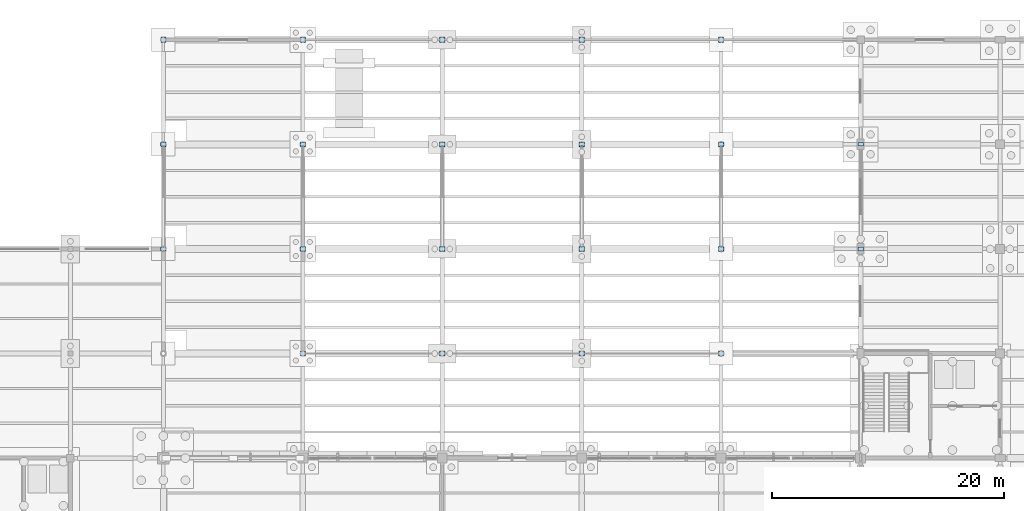
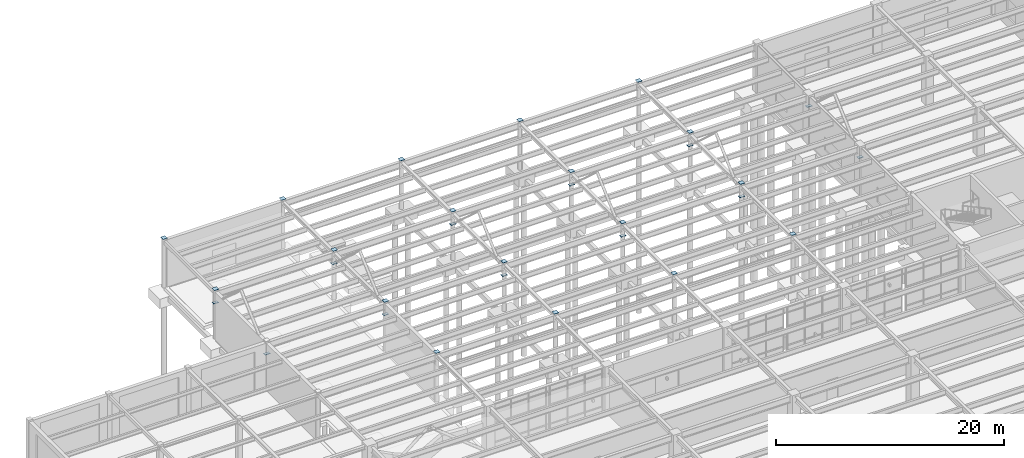
# One storey, part 60 of 85: 30 plates.
"""IFC4 building model written with IfcOpenShell, lengths in metres."""

import ifcopenshell
import ifcopenshell.guid

model = None  # the IFC model being written
_history = None  # IfcOwnerHistory: only IFC2X3 demands one
_inside = {}  # id of a spatial element -> (the spatial element, [elements in it])
_under = {}  # id of a project, library or spatial element -> (it, [spatial elements below it])
_declared = {}  # id of a project -> (the project, [libraries it declares])
_typed = {}  # id of a type object -> (the type object, [elements of that type])
_made_of = {}  # id of a material, layer set ... -> (it, [elements and type objects made of it])


def new_model(schema):
    """Start an empty IFC model of exactly this schema.

    Asked for "IFC4X3", IfcOpenShell would pick the latest addendum, in which some entities
    have other attributes; the version numbers below select the first issue.
    IFC2X3 requires an IfcOwnerHistory on every rooted entity: one is made here for all.
    """
    global model, _history
    if schema == "IFC4X3":
        model = ifcopenshell.file(schema_version=(4, 3, 0, 0))
    else:
        model = ifcopenshell.file(schema=schema)
    _inside.clear()
    _under.clear()
    _declared.clear()
    _typed.clear()
    _made_of.clear()
    _history = None
    if model.schema == "IFC2X3":
        org = make("IfcOrganization", Name="unknown")
        user = make(
            "IfcPersonAndOrganization",
            ThePerson=make("IfcPerson", FamilyName="unknown"),
            TheOrganization=org,
        )
        app = make(
            "IfcApplication",
            ApplicationDeveloper=org,
            Version="unknown",
            ApplicationFullName="unknown",
            ApplicationIdentifier="unknown",
        )
        _history = make(
            "IfcOwnerHistory",
            OwningUser=user,
            OwningApplication=app,
            ChangeAction="ADDED",
            CreationDate=0,
        )
    return model


def make(cls, **values):
    """One entity of the class cls with the attributes given. An attribute that is None is left unset."""
    return model.create_entity(
        cls, **{name: value for name, value in values.items() if value is not None}
    )


def rooted(cls, **values):
    """An entity with a GlobalId (a new one), such as an element, a storey or a relation."""
    return make(cls, GlobalId=ifcopenshell.guid.new(), OwnerHistory=_history, **values)


def si_unit(unit_type, name, prefix=None):
    """IfcSIUnit, for example si_unit("LENGTHUNIT", "METRE", prefix="MILLI")."""
    return make("IfcSIUnit", UnitType=unit_type, Prefix=prefix, Name=name)


def assignment(units):
    """IfcUnitAssignment: the units of a project."""
    return None if units is None else make("IfcUnitAssignment", Units=units)


def point(xyz):
    """IfcCartesianPoint."""
    return None if xyz is None else make("IfcCartesianPoint", Coordinates=xyz)


def direction(xyz):
    """IfcDirection."""
    return None if xyz is None else make("IfcDirection", DirectionRatios=xyz)


def frame(location, z_axis=None, x_axis=None):
    """IfcAxis2Placement3D, a coordinate frame: its origin and axes. An axis left out is left unset."""
    return make(
        "IfcAxis2Placement3D",
        Location=point(location),
        Axis=direction(z_axis),
        RefDirection=direction(x_axis),
    )


def frame_2d(location, x_axis=None):
    """IfcAxis2Placement2D, a coordinate frame in the plane: its origin and x axis."""
    return make(
        "IfcAxis2Placement2D", Location=point(location), RefDirection=direction(x_axis)
    )


def origin():
    """The frame at (0, 0, 0) with its axes left unset."""
    return frame((0.0, 0.0, 0.0))


def origin_2d():
    """The frame at (0, 0) in the plane with its x axis left unset."""
    return frame_2d((0.0, 0.0))


def place(relative_to, where):
    """IfcLocalPlacement: puts the frame where relative to a parent placement (None: the world)."""
    return make(
        "IfcLocalPlacement", PlacementRelTo=relative_to, RelativePlacement=where
    )


def context(
    kind, dimensions, precision=None, world=None, true_north=None, identifier=None
):
    """IfcGeometricRepresentationContext, for example the 3D "Model" context."""
    return make(
        "IfcGeometricRepresentationContext",
        ContextIdentifier=identifier,
        ContextType=kind,
        CoordinateSpaceDimension=dimensions,
        Precision=precision,
        WorldCoordinateSystem=world,
        TrueNorth=true_north,
    )


def subcontext(parent, identifier, kind, view, scale=None):
    """IfcGeometricRepresentationSubContext, for example "Body" below "Model"."""
    return make(
        "IfcGeometricRepresentationSubContext",
        ContextIdentifier=identifier,
        ContextType=kind,
        ParentContext=parent,
        TargetScale=scale,
        TargetView=view,
    )


def project(units=None, contexts=None):
    """IfcProject with its units and contexts."""
    return rooted(
        "IfcProject",
        Name="project",
        RepresentationContexts=contexts,
        UnitsInContext=assignment(units),
    )


def spatial(cls, under=None, at=None, **own):
    """A site, building, storey or space (cls), placed at a placement, below another one or the project."""
    s = rooted(cls, ObjectPlacement=at, **own)
    if under is not None:
        _under.setdefault(under.id(), (under, []))[1].append(s)
    return s


def profile(cls, at=None, kind="AREA", **sizes):
    """A parametric profile (cls). Its sizes go by their IFC names, for example OverallWidth=200.0."""
    return make(cls, ProfileType=kind, Position=at, **sizes)


def rectangle(**sizes):
    """IfcRectangleProfileDef."""
    return profile("IfcRectangleProfileDef", **sizes)


def extrude(swept, where, along, depth):
    """IfcExtrudedAreaSolid: the profile swept, set in the frame where, extruded along a direction by depth."""
    return make(
        "IfcExtrudedAreaSolid",
        SweptArea=swept,
        Position=where,
        ExtrudedDirection=direction(along),
        Depth=depth,
    )


def shape(context_of_items, identifier, shape_type, items):
    """IfcShapeRepresentation: the items that make up one representation, for example the "Body"."""
    return make(
        "IfcShapeRepresentation",
        ContextOfItems=context_of_items,
        RepresentationIdentifier=identifier,
        RepresentationType=shape_type,
        Items=items,
    )


def material(Name=None, Category=None):
    """IfcMaterial."""
    return make("IfcMaterial", Name=Name, Category=Category)


def layer(
    of_material, thickness, ventilated=None, Name=None, Category=None, Priority=None
):
    """IfcMaterialLayer: one layer of a wall or slab, of a material (None: an air gap)."""
    return make(
        "IfcMaterialLayer",
        Material=of_material,
        LayerThickness=thickness,
        IsVentilated=ventilated,
        Name=Name,
        Category=Category,
        Priority=Priority,
    )


def layer_set(layers, Name=None):
    """IfcMaterialLayerSet."""
    return make("IfcMaterialLayerSet", MaterialLayers=layers, LayerSetName=Name)


def made_of(thing, what):
    """Note that an element or type object is made of a material, layer set ...; save() writes the relation."""
    if what is not None:
        _made_of.setdefault(what.id(), (what, []))[1].append(thing)
    return thing


def type_object(cls, material=None, **own):
    """A type object (cls), such as IfcWallType, which elements share."""
    return made_of(rooted(cls, **own), material)


def element(
    cls,
    number,
    at=None,
    inside=None,
    cuts=None,
    type_object=None,
    material=None,
    context=None,
    identifier="Body",
    shape_type=None,
    held_by="IfcProductDefinitionShape",
    body=None,
    shapes=None,
    **own,
):
    """One element of the class cls, such as IfcWall. Its Tag is "e" and its number.

    at: its placement. inside: the storey or other place that contains it. cuts: it is an
    opening in that element (IfcRelVoidsElement). A single representation is given by context,
    identifier, shape_type and body (its items); several are given by shapes. held_by: the class
    of the entity that holds the representations. save() writes the other relations.
    """
    e = rooted(cls, Tag="e%d" % number, ObjectPlacement=at, **own)
    if body is not None:
        shapes = [shape(context, identifier, shape_type, body)]
    if shapes is not None:
        e.Representation = make(held_by, Representations=shapes)
    if inside is not None:
        _inside.setdefault(inside.id(), (inside, []))[1].append(e)
    if cuts is not None:
        rooted(
            "IfcRelVoidsElement", RelatingBuildingElement=cuts, RelatedOpeningElement=e
        )
    if type_object is not None:
        _typed.setdefault(type_object.id(), (type_object, []))[1].append(e)
    return made_of(e, material)


def aggregate(whole, parts):
    """IfcRelAggregates: a whole, such as a stair, and the parts it consists of."""
    return rooted("IfcRelAggregates", RelatingObject=whole, RelatedObjects=parts)


def save(model, path):
    """Write the relations noted so far, then the file.

    IfcRelAggregates (storeys below a building ...), IfcRelContainedInSpatialStructure (elements
    in a storey), IfcRelDefinesByType, IfcRelAssociatesMaterial and IfcRelDeclares: one each for
    every whole, place, type object, material and project.
    """
    for whole, parts in _under.values():
        aggregate(whole, parts)
    for where, things in _inside.values():
        rooted(
            "IfcRelContainedInSpatialStructure",
            RelatedElements=things,
            RelatingStructure=where,
        )
    for kind, things in _typed.values():
        rooted("IfcRelDefinesByType", RelatedObjects=things, RelatingType=kind)
    for what, things in _made_of.values():
        rooted("IfcRelAssociatesMaterial", RelatedObjects=things, RelatingMaterial=what)
    for by, libraries in _declared.values():
        rooted("IfcRelDeclares", RelatingContext=by, RelatedDefinitions=libraries)
    model.write(path)


model = new_model("IFC4")

# Units and contexts
model_context = context("Model", 3, precision=1e-05, world=origin(), true_north=direction((0.0, 1.0)))
body_context = subcontext(model_context, "Body", "Model", "MODEL_VIEW")
ifc_project = project(units=[si_unit("LENGTHUNIT", "METRE"), si_unit("AREAUNIT", "SQUARE_METRE"), si_unit("VOLUMEUNIT", "CUBIC_METRE"), si_unit("PLANEANGLEUNIT", "RADIAN"), si_unit("MASSUNIT", "GRAM", prefix="KILO")], contexts=[model_context])

# Site, building, storey
site_placement = place(None, origin())
site = spatial("IfcSite", under=ifc_project, at=site_placement, CompositionType="ELEMENT")
building_placement = place(site_placement, origin())
building = spatial("IfcBuilding", under=site, at=building_placement, Name="Keelwater Ferry Terminal", CompositionType="ELEMENT")
storey_placement = place(building_placement, origin())
storey = spatial("IfcBuildingStorey", under=building, at=storey_placement, Name="L00", CompositionType="ELEMENT", Elevation=0.0)

# Plates
ifc_material_1 = material(Name="Steel S355", Category="steel")
ifc_layer_1 = layer(ifc_material_1, 0.02490234375)
ifc_layer_set_1 = layer_set([ifc_layer_1], Name="Steel S355")
plate_type_1 = type_object("IfcPlateType", Name="CP3 440x440x25", PredefinedType="USERDEFINED", material=ifc_layer_set_1)
for number, where, z_axis, x_axis, name in (
    (1, (84.0, 99.0, 5.239501953125), (0.0, 0.0, 1.0), (1.0, 0.0, 0.0), "Column Top Cap Plate 1"),
    (2, (84.0, 108.0, 5.239501953125), (0.0, 0.0, 1.0), (1.0, 0.0, 0.0), "Column Top Cap Plate 2"),
    (3, (84.0, 117.0, 5.239501953125), (0.0, 0.0, 1.0), (1.0, 0.0, 0.0), "Column Top Cap Plate 3"),
    (4, (84.0, 126.0, 5.239501953125), (0.0, 0.0, 1.0), (1.0, 0.0, 0.0), "Column Top Cap Plate 4"),
    (5, (96.0, 99.0, 5.239501953125), (0.0, 0.0, 1.0), (1.0, 0.0, 0.0), "Column Top Cap Plate 5"),
    (6, (96.0, 108.0, 5.239501953125), (0.0, 0.0, 1.0), (1.0, 0.0, 0.0), "Column Top Cap Plate 6"),
    (7, (96.0, 117.0, 5.239501953125), (0.0, 0.0, 1.0), (1.0, 0.0, 0.0), "Column Top Cap Plate 7"),
    (8, (96.0, 126.0, 5.239501953125), (0.0, 0.0, 1.0), (1.0, 0.0, 0.0), "Column Top Cap Plate 8"),
    (9, (48.0, 117.0, 5.239501953125), (0.0, 0.0, 1.0), (1.0, 0.0, 0.0), "Column Top Cap Plate 59"),
    (10, (48.0, 126.0, 5.239501953125), (0.0, 0.0, 1.0), (1.0, 0.0, 0.0), "Column Top Cap Plate 60"),
    (11, (60.0, 99.0, 5.239501953125), (0.0, 0.0, 1.0), (1.0, 0.0, 0.0), "Column Top Cap Plate 61"),
    (12, (60.0, 108.0, 5.239501953125), (0.0, 0.0, 1.0), (1.0, 0.0, 0.0), "Column Top Cap Plate 62"),
    (13, (60.0, 117.0, 5.239501953125), (0.0, 0.0, 1.0), (1.0, 0.0, 0.0), "Column Top Cap Plate 63"),
    (14, (60.0, 126.0, 5.239501953125), (0.0, 0.0, 1.0), (1.0, 0.0, 0.0), "Column Top Cap Plate 64"),
    (15, (72.0, 99.0, 5.239501953125), (0.0, 0.0, 1.0), (1.0, 0.0, 0.0), "Column Top Cap Plate 65"),
    (16, (72.0, 108.0, 5.239501953125), (0.0, 0.0, 1.0), (1.0, 0.0, 0.0), "Column Top Cap Plate 66"),
    (17, (72.0, 117.0, 5.239501953125), (0.0, 0.0, 1.0), (1.0, 0.0, 0.0), "Column Top Cap Plate 67"),
    (18, (72.0, 126.0, 5.239501953125), (0.0, 0.0, 1.0), (1.0, 0.0, 0.0), "Column Top Cap Plate 68"),
):
    element("IfcPlate", number, at=place(storey_placement, frame(where, z_axis=z_axis, x_axis=x_axis)), inside=storey, type_object=plate_type_1, Name=name, ObjectType="GUSSET PLATE", PredefinedType="USERDEFINED", context=body_context, shape_type="SweptSolid", body=[
        extrude(rectangle(XDim=0.43994140625, YDim=0.43994140625, at=origin_2d()), origin(), (0.0, 0.0, 1.0), 0.02490234375),
    ])
ifc_material_2 = material(Name="Steel S355", Category="steel")
ifc_layer_2 = layer(ifc_material_2, 0.01806640625)
ifc_layer_set_2 = layer_set([ifc_layer_2], Name="Steel S355")
plate_type_2 = type_object("IfcPlateType", Name="GP8 480x320x18", PredefinedType="USERDEFINED", material=ifc_layer_set_2)
for number, where, z_axis, x_axis, name in (
    (19, (48.0, 108.0, 3.791015625), (0.0, 0.0, 1.0), (1.0, 0.0, 0.0), "Connection Gusset Plate 31"),
    (20, (48.0, 117.0, 3.791015625), (0.0, 0.0, 1.0), (1.0, 0.0, 0.0), "Connection Gusset Plate 32"),
    (21, (60.0, 108.0, 3.791015625), (0.0, 0.0, 1.0), (1.0, 0.0, 0.0), "Connection Gusset Plate 34"),
    (22, (60.0, 117.0, 3.791015625), (0.0, 0.0, 1.0), (1.0, 0.0, 0.0), "Connection Gusset Plate 35"),
    (23, (72.0, 108.0, 3.791015625), (0.0, 0.0, 1.0), (1.0, 0.0, 0.0), "Connection Gusset Plate 37"),
    (24, (72.0, 117.0, 3.791015625), (0.0, 0.0, 1.0), (1.0, 0.0, 0.0), "Connection Gusset Plate 38"),
    (25, (84.0, 108.0, 3.791015625), (0.0, 0.0, 1.0), (1.0, 0.0, 0.0), "Connection Gusset Plate 40"),
    (26, (84.0, 117.0, 3.791015625), (0.0, 0.0, 1.0), (1.0, 0.0, 0.0), "Connection Gusset Plate 41"),
    (27, (96.0, 108.0, 3.791015625), (0.0, 0.0, 1.0), (1.0, 0.0, 0.0), "Connection Gusset Plate 43"),
    (28, (96.0, 117.0, 3.791015625), (0.0, 0.0, 1.0), (1.0, 0.0, 0.0), "Connection Gusset Plate 44"),
    (29, (108.0, 108.0, 3.791015625), (0.0, 0.0, 1.0), (1.0, 0.0, 0.0), "Connection Gusset Plate 46"),
    (30, (108.0, 117.0, 3.791015625), (0.0, 0.0, 1.0), (1.0, 0.0, 0.0), "Connection Gusset Plate 47"),
):
    element("IfcPlate", number, at=place(storey_placement, frame(where, z_axis=z_axis, x_axis=x_axis)), inside=storey, type_object=plate_type_2, Name=name, ObjectType="GUSSET PLATE", PredefinedType="USERDEFINED", context=body_context, shape_type="SweptSolid", body=[
        extrude(rectangle(XDim=0.47998046875, YDim=0.320068359375, at=origin_2d()), origin(), (0.0, 0.0, 1.0), 0.01806640625),
    ])

save(model, "model.ifc")
